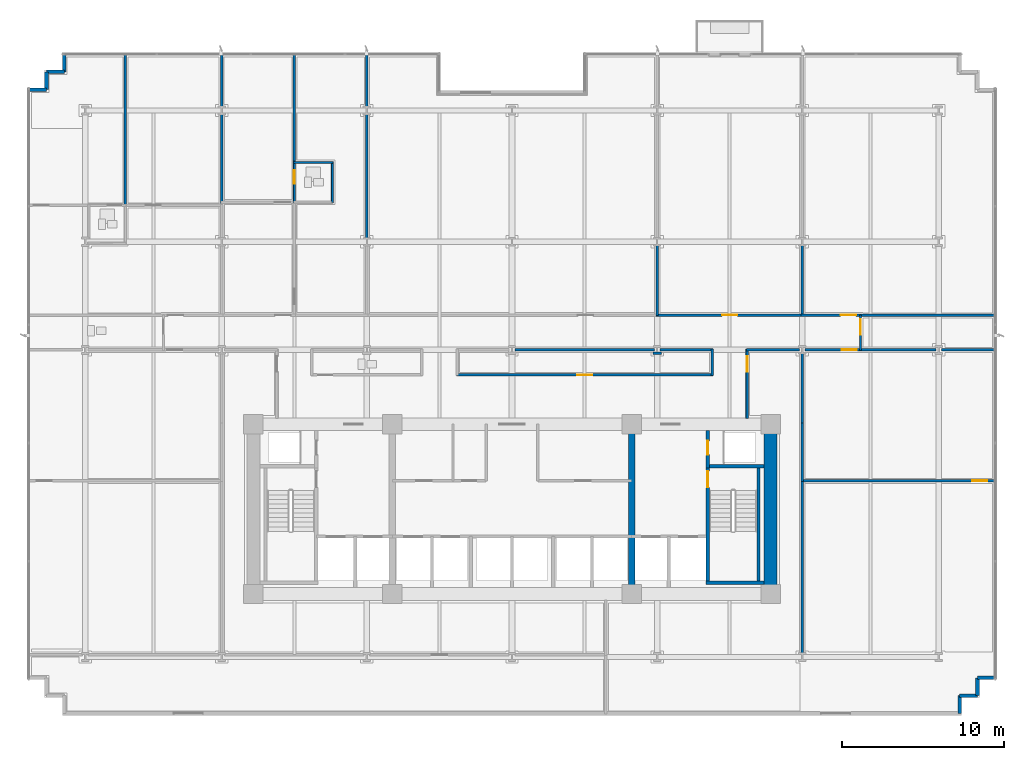
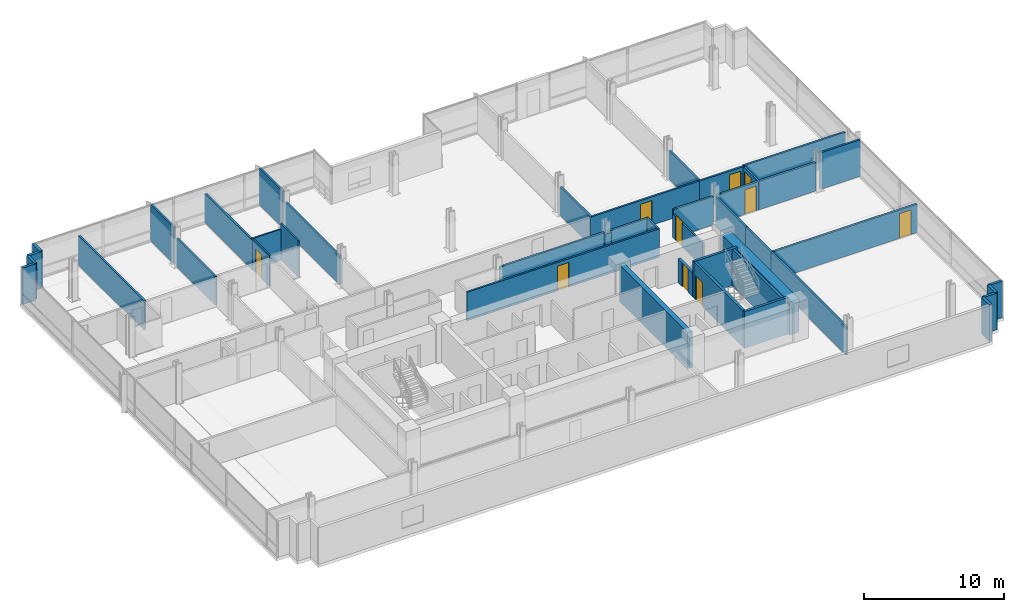
# One storey, part 14 of 21: 44 walls, 10 doors, 10 openings.
"""IFC4 building model written with IfcOpenShell, lengths in metres."""

from ifc_helpers import new_model, si_unit, direction, frame, frame_2d, origin, place, context, subcontext, project, spatial, rectangle, extrude, material, layer, layer_set, type_object, element, fill, save


model = new_model("IFC4")

# Units and contexts
model_context = context("Model", 3, precision=1e-05, world=origin(), true_north=direction((0.0, 1.0)))
body_context = subcontext(model_context, "Body", "Model", "MODEL_VIEW")
ifc_project = project(units=[si_unit("LENGTHUNIT", "METRE"), si_unit("AREAUNIT", "SQUARE_METRE"), si_unit("VOLUMEUNIT", "CUBIC_METRE"), si_unit("PLANEANGLEUNIT", "RADIAN"), si_unit("MASSUNIT", "GRAM", prefix="KILO")], contexts=[model_context])

# Site, building, storey
site_placement = place(None, origin())
site = spatial("IfcSite", under=ifc_project, at=site_placement, CompositionType="ELEMENT")
building_placement = place(site_placement, origin())
building = spatial("IfcBuilding", under=site, at=building_placement, Name="Solmavex Isthmus Hotel", CompositionType="ELEMENT")
storey_placement = place(building_placement, frame((0.0, 0.0, 60.89990234375)))
storey = spatial("IfcBuildingStorey", under=building, at=storey_placement, Name="L16", CompositionType="ELEMENT", Elevation=60.89990234375)

# Walls
ifc_material_1 = material(Name="Precast Concrete C40/50", Category="concrete")
ifc_layer_1 = layer(ifc_material_1, 0.25)
ifc_layer_set_1 = layer_set([ifc_layer_1], Name="Precast Concrete C40/50")
wall_type_1 = type_object("IfcWallType", Name="EW-TWR-250", PredefinedType="STANDARD", material=ifc_layer_set_1)
wall_1_placement = place(storey_placement, frame((-29.889892578125, 18.18994140625, 0.0), z_axis=(0.0, 0.0, 1.0), x_axis=(1.0, 0.0, 0.0)))
element("IfcWall", 1, at=wall_1_placement, inside=storey, type_object=wall_type_1, Name="Serrated Corner Facade Panel L16-06", PredefinedType="STANDARD", context=body_context, shape_type="SweptSolid", body=[
    extrude(rectangle(XDim=1.099853515625, YDim=0.219970703125, at=frame_2d((0.5498046875, 0.0))), origin(), (0.0, 0.0, 1.0), 3.190185546875),
])
for number, where, z_axis, x_axis, name in (
    (2, (-28.7900390625, 18.18994140625, 0.0), (0.0, 0.0, 1.0), (0.0, 1.0, 0.0), "Serrated Corner Facade Panel L16-07"),
    (3, (-28.7900390625, 19.2900390625, 0.0), (0.0, 0.0, 1.0), (1.0, 0.0, 0.0), "Serrated Corner Facade Panel L16-08"),
):
    element("IfcWall", number, at=place(storey_placement, frame(where, z_axis=z_axis, x_axis=x_axis)), inside=storey, type_object=wall_type_1, Name=name, PredefinedType="STANDARD", context=body_context, shape_type="SweptSolid", body=[
        extrude(rectangle(XDim=1.10009765625, YDim=0.219970703125, at=frame_2d((0.550048828125, 0.0))), origin(), (0.0, 0.0, 1.0), 3.190185546875),
    ])
for number, where, z_axis, x_axis, name in (
    (4, (-27.68994140625, 19.2900390625, 0.0), (0.0, 0.0, 1.0), (0.0, 1.0, 0.0), "Serrated Corner Facade Panel L16-09"),
    (5, (29.889892578125, -18.18994140625, 0.0), (0.0, 0.0, 1.0), (-1.0, 0.0, 0.0), "Serrated Corner Facade Panel L16-16"),
):
    element("IfcWall", number, at=place(storey_placement, frame(where, z_axis=z_axis, x_axis=x_axis)), inside=storey, type_object=wall_type_1, Name=name, PredefinedType="STANDARD", context=body_context, shape_type="SweptSolid", body=[
        extrude(rectangle(XDim=1.099853515625, YDim=0.219970703125, at=frame_2d((0.5498046875, 0.0))), origin(), (0.0, 0.0, 1.0), 3.190185546875),
    ])
for number, where, z_axis, x_axis, name in (
    (6, (28.7900390625, -18.18994140625, 0.0), (0.0, 0.0, 1.0), (0.0, -1.0, 0.0), "Serrated Corner Facade Panel L16-17"),
    (7, (28.7900390625, -19.2900390625, 0.0), (0.0, 0.0, 1.0), (-1.0, 0.0, 0.0), "Serrated Corner Facade Panel L16-18"),
):
    element("IfcWall", number, at=place(storey_placement, frame(where, z_axis=z_axis, x_axis=x_axis)), inside=storey, type_object=wall_type_1, Name=name, PredefinedType="STANDARD", context=body_context, shape_type="SweptSolid", body=[
        extrude(rectangle(XDim=1.10009765625, YDim=0.219970703125, at=frame_2d((0.550048828125, 0.0))), origin(), (0.0, 0.0, 1.0), 3.190185546875),
    ])
wall_2_placement = place(storey_placement, frame((27.68994140625, -19.2900390625, 0.0), z_axis=(0.0, 0.0, 1.0), x_axis=(0.0, -1.0, 0.0)))
element("IfcWall", 8, at=wall_2_placement, inside=storey, type_object=wall_type_1, Name="Serrated Corner Facade Panel L16-19", PredefinedType="STANDARD", context=body_context, shape_type="SweptSolid", body=[
    extrude(rectangle(XDim=1.099853515625, YDim=0.219970703125, at=frame_2d((0.5498046875, 0.0))), origin(), (0.0, 0.0, 1.0), 3.190185546875),
])
ifc_material_2 = material(Name="Gypsum plasterboard lining", Category="gypsum")
ifc_layer_2 = layer(ifc_material_2, 0.159912109375)
ifc_layer_set_2 = layer_set([ifc_layer_2], Name="Gypsum plasterboard lining")
wall_type_2 = type_object("IfcWallType", Name="IW-COMP-160", PredefinedType="PARTITIONING", material=ifc_layer_set_2)
wall_3_placement = place(storey_placement, frame((-23.916015625, 20.419921875, 0.0), z_axis=(0.0, 0.0, 1.0), x_axis=(0.0, -1.0, 0.0)))
element("IfcWall", 9, at=wall_3_placement, inside=storey, type_object=wall_type_2, Name="Interior Partition Wall W-L16-P037", PredefinedType="PARTITIONING", context=body_context, shape_type="SweptSolid", body=[
    extrude(rectangle(XDim=9.421875, YDim=0.159912109375, at=frame_2d((4.7109375, 0.0))), origin(), (0.0, 0.0, 1.0), 2.55322265625),
])
wall_4_placement = place(storey_placement, frame((-17.951904296875, 16.72509765625, 0.0), z_axis=(0.0, 0.0, 1.0), x_axis=(0.0, -1.0, 0.0)))
element("IfcWall", 10, at=wall_4_placement, inside=storey, type_object=wall_type_2, Name="Interior Partition Wall W-L16-P039", PredefinedType="PARTITIONING", context=body_context, shape_type="SweptSolid", body=[
    extrude(rectangle(XDim=5.569091796875, YDim=0.159912109375, at=frame_2d((2.78466796875, 0.0))), origin(), (0.0, 0.0, 1.0), 2.4794921875),
])
wall_5_placement = place(storey_placement, frame((-17.951904296875, 20.419921875, 0.0), z_axis=(0.0, 0.0, 1.0), x_axis=(0.0, -1.0, 0.0)))
element("IfcWall", 11, at=wall_5_placement, inside=storey, type_object=wall_type_2, Name="Interior Partition Wall W-L16-P040", PredefinedType="PARTITIONING", context=body_context, shape_type="SweptSolid", body=[
    extrude(rectangle(XDim=3.344970703125, YDim=0.159912109375, at=frame_2d((1.67236328125, 0.0))), origin(), (0.0, 0.0, 1.0), 3.190185546875),
])
wall_6_placement = place(storey_placement, frame((-13.464111328125, 20.419921875, 0.0), z_axis=(0.0, 0.0, 1.0), x_axis=(0.0, -1.0, 0.0)))
element("IfcWall", 12, at=wall_6_placement, inside=storey, type_object=wall_type_2, Name="Interior Partition Wall W-L16-P043", PredefinedType="PARTITIONING", context=body_context, shape_type="SweptSolid", body=[
    extrude(rectangle(XDim=6.81396484375, YDim=0.159912109375, at=frame_2d((3.406982421875, 0.0))), origin(), (0.0, 0.0, 1.0), 2.55322265625),
])
wall_7_placement = place(storey_placement, frame((-8.97607421875, 16.72509765625, 0.0), z_axis=(0.0, 0.0, 1.0), x_axis=(0.0, -1.0, 0.0)))
element("IfcWall", 13, at=wall_7_placement, inside=storey, type_object=wall_type_2, Name="Interior Partition Wall W-L16-P049", PredefinedType="PARTITIONING", context=body_context, shape_type="SweptSolid", body=[
    extrude(rectangle(XDim=7.76220703125, YDim=0.159912109375, at=frame_2d((3.881103515625, 0.0))), origin(), (0.0, 0.0, 1.0), 2.4794921875),
])
wall_8_placement = place(storey_placement, frame((-8.97607421875, 20.419921875, 0.0), z_axis=(0.0, 0.0, 1.0), x_axis=(0.0, -1.0, 0.0)))
element("IfcWall", 14, at=wall_8_placement, inside=storey, type_object=wall_type_2, Name="Interior Partition Wall W-L16-P050", PredefinedType="PARTITIONING", context=body_context, shape_type="SweptSolid", body=[
    extrude(rectangle(XDim=3.344970703125, YDim=0.159912109375, at=frame_2d((1.67236328125, 0.0))), origin(), (0.0, 0.0, 1.0), 3.190185546875),
])
for number, where, z_axis, x_axis, name in (
    (15, (8.97607421875, 8.613037109375, 0.0), (0.0, 0.0, 1.0), (0.0, -1.0, 0.0), "Interior Partition Wall W-L16-P051"),
    (16, (17.951904296875, 8.613037109375, 0.0), (0.0, 0.0, 1.0), (0.0, -1.0, 0.0), "Interior Partition Wall W-L16-P054"),
):
    element("IfcWall", number, at=place(storey_placement, frame(where, z_axis=z_axis, x_axis=x_axis)), inside=storey, type_object=wall_type_2, Name=name, PredefinedType="PARTITIONING", context=body_context, shape_type="SweptSolid", body=[
        extrude(rectangle(XDim=4.403076171875, YDim=0.159912109375, at=frame_2d((2.20166015625, 0.0))), origin(), (0.0, 0.0, 1.0), 2.4794921875),
    ])
wall_9_placement = place(storey_placement, frame((29.919921875, 4.22998046875, 0.0), z_axis=(0.0, 0.0, 1.0), x_axis=(-1.0, 0.0, 0.0)))
element("IfcWall", 17, at=wall_9_placement, inside=storey, type_object=wall_type_2, Name="Interior Partition Wall W-L16-P057", PredefinedType="PARTITIONING", context=body_context, shape_type="SweptSolid", body=[
    extrude(rectangle(XDim=8.407958984375, YDim=0.159912109375, at=frame_2d((4.2041015625, 0.0))), origin(), (0.0, 0.0, 1.0), 2.55322265625),
])
wall_10_placement = place(storey_placement, frame((26.22509765625, 2.10009765625, 0.0), z_axis=(0.0, 0.0, 1.0), x_axis=(-1.0, 0.0, 0.0)))
element("IfcWall", 18, at=wall_10_placement, inside=storey, type_object=wall_type_2, Name="Interior Partition Wall W-L16-P060", PredefinedType="PARTITIONING", context=body_context, shape_type="SweptSolid", body=[
    extrude(rectangle(XDim=4.713134765625, YDim=0.159912109375, at=frame_2d((2.3564453125, 0.0))), origin(), (0.0, 0.0, 1.0), 2.4794921875),
])
wall_11_placement = place(storey_placement, frame((29.919921875, 2.10009765625, 0.0), z_axis=(0.0, 0.0, 1.0), x_axis=(-1.0, 0.0, 0.0)))
element("IfcWall", 19, at=wall_11_placement, inside=storey, type_object=wall_type_2, Name="Interior Partition Wall W-L16-P061", PredefinedType="PARTITIONING", context=body_context, shape_type="SweptSolid", body=[
    extrude(rectangle(XDim=3.344970703125, YDim=0.159912109375, at=frame_2d((1.67236328125, 0.0))), origin(), (0.0, 0.0, 1.0), 3.190185546875),
])
wall_12_placement = place(storey_placement, frame((17.951904296875, -6.0400390625, 0.0), z_axis=(0.0, 0.0, 1.0), x_axis=(0.0, 1.0, 0.0)))
element("IfcWall", 20, at=wall_12_placement, inside=storey, type_object=wall_type_2, Name="Interior Partition Wall W-L16-P065", PredefinedType="PARTITIONING", context=body_context, shape_type="SweptSolid", body=[
    extrude(rectangle(XDim=3.630126953125, YDim=0.159912109375, at=frame_2d((1.81494140625, 0.0))), origin(), (0.0, 0.0, 1.0), 2.4794921875),
])
wall_13_placement = place(storey_placement, frame((17.951904296875, -2.489990234375, 0.0), z_axis=(0.0, 0.0, 1.0), x_axis=(0.0, 1.0, 0.0)))
element("IfcWall", 21, at=wall_13_placement, inside=storey, type_object=wall_type_2, Name="Interior Partition Wall W-L16-P066", PredefinedType="PARTITIONING", context=body_context, shape_type="SweptSolid", body=[
    extrude(rectangle(XDim=4.4150390625, YDim=0.159912109375, at=frame_2d((2.20751953125, 0.0))), origin(), (0.0, 0.0, 1.0), 2.4794921875),
])

# Wall, opening, door
wall_14_placement = place(storey_placement, frame((29.919921875, -6.0, 0.0), z_axis=(0.0, 0.0, 1.0), x_axis=(-1.0, 0.0, 0.0)))
wall_14 = element("IfcWall", 22, at=wall_14_placement, inside=storey, type_object=wall_type_2, Name="Interior Partition Wall W-L16-P067", PredefinedType="PARTITIONING", context=body_context, shape_type="SweptSolid", body=[
    extrude(rectangle(XDim=12.0078125, YDim=0.159912109375, at=frame_2d((6.00390625, 0.0))), origin(), (0.0, 0.0, 1.0), 2.4794921875),
])
opening_1_placement = place(wall_14_placement, frame((0.519287109375, 0.0, 0.0)))
opening_1 = element("IfcOpeningElement", 23, at=opening_1_placement, cuts=wall_14, Name="Opening ID-C095", PredefinedType="OPENING", context=body_context, shape_type="SweptSolid", body=[
    extrude(rectangle(XDim=0.949951171875, YDim=2.14990234375, at=frame_2d((0.47509765625, 1.074951171875))), frame((0.0, 0.08984375, 0.0), z_axis=(0.0, -1.0, 0.0), x_axis=(1.0, 0.0, 0.0)), (0.0, 0.0, 1.0), 0.179931640625),
])
ifc_material_3 = material(Name="Hardwood timber", Category="wood")
door_type_1 = type_object("IfcDoorType", Name="IDR-FD60-0950", OperationType="NOTDEFINED", PredefinedType="DOOR", material=ifc_material_3)
door_1_placement = place(opening_1_placement, origin())
door_1 = element("IfcDoor", 24, at=door_1_placement, inside=storey, type_object=door_type_1, Name="Corporate Briefing Office Door L16-22", OperationType="SINGLE_SWING_RIGHT", OverallHeight=2.14990234375, OverallWidth=0.949951171875, PredefinedType="DOOR", context=body_context, shape_type="SweptSolid", body=[
    extrude(rectangle(XDim=0.949951171875, YDim=2.14990234375, at=frame_2d((0.47509765625, 1.074951171875))), frame((0.0, 0.02490234375, 0.0), z_axis=(0.0, -1.0, 0.0), x_axis=(1.0, 0.0, 0.0)), (0.0, 0.0, 1.0), 0.050048828125),
])
fill(opening_1, door_1)

# Wall
wall_15_placement = place(storey_placement, frame((17.951904296875, -5.91796875, 0.0), z_axis=(0.0, 0.0, 1.0), x_axis=(0.0, -1.0, 0.0)))
element("IfcWall", 25, at=wall_15_placement, inside=storey, type_object=wall_type_2, Name="Interior Partition Wall W-L16-P074", PredefinedType="PARTITIONING", context=body_context, shape_type="SweptSolid", body=[
    extrude(rectangle(XDim=10.80712890625, YDim=0.159912109375, at=frame_2d((5.403564453125, 0.0))), origin(), (0.0, 0.0, 1.0), 2.4794921875),
])

# Wall, opening, door
ifc_layer_3 = layer(ifc_material_2, 0.14990234375)
ifc_layer_set_3 = layer_set([ifc_layer_3], Name="Gypsum plasterboard lining")
wall_type_3 = type_object("IfcWallType", Name="IW-CORR-150", PredefinedType="PARTITIONING", material=ifc_layer_set_3)
wall_16_placement = place(storey_placement, frame((8.89404296875, 4.25, 0.0), z_axis=(0.0, 0.0, 1.0), x_axis=(1.0, 0.0, 0.0)))
wall_16 = element("IfcWall", 26, at=wall_16_placement, inside=storey, type_object=wall_type_3, Name="Interior Partition Wall W-L16-P005", PredefinedType="PARTITIONING", context=body_context, shape_type="SweptSolid", body=[
    extrude(rectangle(XDim=9.139892578125, YDim=0.14990234375, at=frame_2d((4.56982421875, 0.0))), origin(), (0.0, 0.0, 1.0), 2.4794921875),
])
opening_2_placement = place(wall_16_placement, frame((4.094970703125, 0.0, 0.0)))
opening_2 = element("IfcOpeningElement", 27, at=opening_2_placement, cuts=wall_16, Name="Opening ID-C095", PredefinedType="OPENING", context=body_context, shape_type="SweptSolid", body=[
    extrude(rectangle(XDim=0.949951171875, YDim=2.14990234375, at=frame_2d((0.47509765625, 1.074951171875))), frame((0.0, 0.0849609375, 0.0), z_axis=(0.0, -1.0, 0.0), x_axis=(1.0, 0.0, 0.0)), (0.0, 0.0, 1.0), 0.169921875),
])
door_2_placement = place(opening_2_placement, origin())
door_2 = element("IfcDoor", 28, at=door_2_placement, inside=storey, type_object=door_type_1, Name="Atrium Overlook Lounge Door L16-10", OperationType="SINGLE_SWING_RIGHT", OverallHeight=2.14990234375, OverallWidth=0.949951171875, PredefinedType="DOOR", context=body_context, shape_type="SweptSolid", body=[
    extrude(rectangle(XDim=0.949951171875, YDim=2.14990234375, at=frame_2d((0.47509765625, 1.074951171875))), frame((0.0, 0.02490234375, 0.0), z_axis=(0.0, -1.0, 0.0), x_axis=(1.0, 0.0, 0.0)), (0.0, 0.0, 1.0), 0.050048828125),
])
fill(opening_2, door_2)

wall_17_placement = place(storey_placement, frame((17.8701171875, 4.25, 0.0), z_axis=(0.0, 0.0, 1.0), x_axis=(1.0, 0.0, 0.0)))
wall_17 = element("IfcWall", 29, at=wall_17_placement, inside=storey, type_object=wall_type_3, Name="Interior Partition Wall W-L16-P006", PredefinedType="PARTITIONING", context=body_context, shape_type="SweptSolid", body=[
    extrude(rectangle(XDim=3.721923828125, YDim=0.14990234375, at=frame_2d((1.86083984375, 0.0))), origin(), (0.0, 0.0, 1.0), 2.4794921875),
])
opening_3_placement = place(wall_17_placement, frame((2.456787109375, 0.0, 0.0)))
opening_3 = element("IfcOpeningElement", 30, at=opening_3_placement, cuts=wall_17, Name="Opening ID-C095", PredefinedType="OPENING", context=body_context, shape_type="SweptSolid", body=[
    extrude(rectangle(XDim=0.949951171875, YDim=2.14990234375, at=frame_2d((0.47509765625, 1.074951171875))), frame((0.0, 0.0849609375, 0.0), z_axis=(0.0, -1.0, 0.0), x_axis=(1.0, 0.0, 0.0)), (0.0, 0.0, 1.0), 0.169921875),
])
door_3_placement = place(opening_3_placement, origin())
door_3 = element("IfcDoor", 31, at=door_3_placement, inside=storey, type_object=door_type_1, Name="Corporate Briefing Office Door L16-11", OperationType="SINGLE_SWING_LEFT", OverallHeight=2.14990234375, OverallWidth=0.949951171875, PredefinedType="DOOR", context=body_context, shape_type="SweptSolid", body=[
    extrude(rectangle(XDim=0.949951171875, YDim=2.14990234375, at=frame_2d((0.47509765625, 1.074951171875))), frame((0.0, 0.02490234375, 0.0), z_axis=(0.0, -1.0, 0.0), x_axis=(1.0, 0.0, 0.0)), (0.0, 0.0, 1.0), 0.050048828125),
])
fill(opening_3, door_3)

wall_18_placement = place(storey_placement, frame((21.552001953125, 4.27001953125, 0.0), z_axis=(0.0, 0.0, 1.0), x_axis=(0.0, -1.0, 0.0)))
wall_18 = element("IfcWall", 32, at=wall_18_placement, inside=storey, type_object=wall_type_3, Name="Interior Partition Wall W-L16-P014", PredefinedType="PARTITIONING", context=body_context, shape_type="SweptSolid", body=[
    extrude(rectangle(XDim=2.2099609375, YDim=0.14990234375, at=frame_2d((1.10498046875, 0.0))), origin(), (0.0, 0.0, 1.0), 2.4794921875),
])
opening_4_placement = place(wall_18_placement, frame((0.272216796875, 0.0, 0.0)))
opening_4 = element("IfcOpeningElement", 33, at=opening_4_placement, cuts=wall_18, Name="Opening ID-C095", PredefinedType="OPENING", context=body_context, shape_type="SweptSolid", body=[
    extrude(rectangle(XDim=0.949951171875, YDim=2.14990234375, at=frame_2d((0.47509765625, 1.074951171875))), frame((0.0, 0.0849609375, 0.0), z_axis=(0.0, -1.0, 0.0), x_axis=(1.0, 0.0, 0.0)), (0.0, 0.0, 1.0), 0.169921875),
])
door_4_placement = place(opening_4_placement, origin())
door_4 = element("IfcDoor", 34, at=door_4_placement, inside=storey, type_object=door_type_1, Name="Executive Meeting Room Door L16-14", OperationType="SINGLE_SWING_RIGHT", OverallHeight=2.14990234375, OverallWidth=0.949951171875, PredefinedType="DOOR", context=body_context, shape_type="SweptSolid", body=[
    extrude(rectangle(XDim=0.949951171875, YDim=2.14990234375, at=frame_2d((0.47509765625, 1.074951171875))), frame((0.0, 0.02490234375, 0.0), z_axis=(0.0, -1.0, 0.0), x_axis=(1.0, 0.0, 0.0)), (0.0, 0.0, 1.0), 0.050048828125),
])
fill(opening_4, door_4)

wall_19_placement = place(storey_placement, frame((-3.427978515625, 0.550048828125, 0.0), z_axis=(0.0, 0.0, 1.0), x_axis=(1.0, 0.0, 0.0)))
wall_19 = element("IfcWall", 35, at=wall_19_placement, inside=storey, type_object=wall_type_3, Name="Interior Partition Wall W-L16-P017", PredefinedType="PARTITIONING", context=body_context, shape_type="SweptSolid", body=[
    extrude(rectangle(XDim=15.85205078125, YDim=0.14990234375, at=frame_2d((7.926025390625, 0.0))), origin(), (0.0, 0.0, 1.0), 2.4794921875),
])
opening_5_placement = place(wall_19_placement, frame((7.450927734375, 0.0, 0.0)))
opening_5 = element("IfcOpeningElement", 36, at=opening_5_placement, cuts=wall_19, Name="Opening ID-C095", PredefinedType="OPENING", context=body_context, shape_type="SweptSolid", body=[
    extrude(rectangle(XDim=0.949951171875, YDim=2.14990234375, at=frame_2d((0.47509765625, 1.074951171875))), frame((0.0, 0.0849609375, 0.0), z_axis=(0.0, -1.0, 0.0), x_axis=(1.0, 0.0, 0.0)), (0.0, 0.0, 1.0), 0.169921875),
])
door_5_placement = place(opening_5_placement, origin())
door_5 = element("IfcDoor", 37, at=door_5_placement, inside=storey, type_object=door_type_1, Name="Private Focus Study Door L16-15", OperationType="SINGLE_SWING_LEFT", OverallHeight=2.14990234375, OverallWidth=0.949951171875, PredefinedType="DOOR", context=body_context, shape_type="SweptSolid", body=[
    extrude(rectangle(XDim=0.949951171875, YDim=2.14990234375, at=frame_2d((0.47509765625, 1.074951171875))), frame((0.0, 0.02490234375, 0.0), z_axis=(0.0, -1.0, 0.0), x_axis=(1.0, 0.0, 0.0)), (0.0, 0.0, 1.0), 0.050048828125),
])
fill(opening_5, door_5)

# Walls
wall_20_placement = place(storey_placement, frame((12.384033203125, 0.510009765625, 0.0), z_axis=(0.0, 0.0, 1.0), x_axis=(0.0, 1.0, 0.0)))
element("IfcWall", 38, at=wall_20_placement, inside=storey, type_object=wall_type_3, Name="Interior Partition Wall W-L16-P018", PredefinedType="PARTITIONING", context=body_context, shape_type="SweptSolid", body=[
    extrude(rectangle(XDim=1.6298828125, YDim=0.14990234375, at=frame_2d((0.81494140625, 0.0))), origin(), (0.0, 0.0, 1.0), 2.4794921875),
])
wall_21_placement = place(storey_placement, frame((12.424072265625, 2.10009765625, 0.0), z_axis=(0.0, 0.0, 1.0), x_axis=(-1.0, 0.0, 0.0)))
element("IfcWall", 39, at=wall_21_placement, inside=storey, type_object=wall_type_3, Name="Interior Partition Wall W-L16-P019", PredefinedType="PARTITIONING", context=body_context, shape_type="SweptSolid", body=[
    extrude(rectangle(XDim=3.273193359375, YDim=0.14990234375, at=frame_2d((1.63671875, 0.0))), origin(), (0.0, 0.0, 1.0), 2.4794921875),
])
wall_22_placement = place(storey_placement, frame((9.23095703125, 1.885009765625, 0.0), z_axis=(0.0, 0.0, 1.0), x_axis=(-1.0, 0.0, 0.0)))
element("IfcWall", 40, at=wall_22_placement, inside=storey, type_object=wall_type_3, Name="Interior Partition Wall W-L16-P020", PredefinedType="PARTITIONING", context=body_context, shape_type="SweptSolid", body=[
    extrude(rectangle(XDim=0.510009765625, YDim=0.14990234375, at=frame_2d((0.2548828125, 0.0))), origin(), (0.0, 0.0, 1.0), 2.4794921875),
])
wall_23_placement = place(storey_placement, frame((8.801025390625, 2.10009765625, 0.0), z_axis=(0.0, 0.0, 1.0), x_axis=(-1.0, 0.0, 0.0)))
element("IfcWall", 41, at=wall_23_placement, inside=storey, type_object=wall_type_3, Name="Interior Partition Wall W-L16-P021", PredefinedType="PARTITIONING", context=body_context, shape_type="SweptSolid", body=[
    extrude(rectangle(XDim=8.6259765625, YDim=0.14990234375, at=frame_2d((4.31298828125, 0.0))), origin(), (0.0, 0.0, 1.0), 2.4794921875),
])

# Wall, opening, door
wall_24_placement = place(storey_placement, frame((21.592041015625, 2.10009765625, 0.0), z_axis=(0.0, 0.0, 1.0), x_axis=(-1.0, 0.0, 0.0)))
wall_24 = element("IfcWall", 42, at=wall_24_placement, inside=storey, type_object=wall_type_3, Name="Interior Partition Wall W-L16-P024", PredefinedType="PARTITIONING", context=body_context, shape_type="SweptSolid", body=[
    extrude(rectangle(XDim=3.465087890625, YDim=0.14990234375, at=frame_2d((1.732421875, 0.0))), origin(), (0.0, 0.0, 1.0), 2.4794921875),
])
opening_6_placement = place(wall_24_placement, frame((0.26220703125, 0.0, 0.0)))
opening_6 = element("IfcOpeningElement", 43, at=opening_6_placement, cuts=wall_24, Name="Opening ID-C095", PredefinedType="OPENING", context=body_context, shape_type="SweptSolid", body=[
    extrude(rectangle(XDim=0.949951171875, YDim=2.14990234375, at=frame_2d((0.47509765625, 1.074951171875))), frame((0.0, 0.0849609375, 0.0), z_axis=(0.0, -1.0, 0.0), x_axis=(1.0, 0.0, 0.0)), (0.0, 0.0, 1.0), 0.169921875),
])
door_6_placement = place(opening_6_placement, origin())
door_6 = element("IfcDoor", 44, at=door_6_placement, inside=storey, type_object=door_type_1, Name="Business Briefing Office Door L16-17", OperationType="SINGLE_SWING_LEFT", OverallHeight=2.14990234375, OverallWidth=0.949951171875, PredefinedType="DOOR", context=body_context, shape_type="SweptSolid", body=[
    extrude(rectangle(XDim=0.949951171875, YDim=2.14990234375, at=frame_2d((0.47509765625, 1.074951171875))), frame((0.0, 0.02490234375, 0.0), z_axis=(0.0, -1.0, 0.0), x_axis=(1.0, 0.0, 0.0)), (0.0, 0.0, 1.0), 0.050048828125),
])
fill(opening_6, door_6)

# Wall
wall_25_placement = place(storey_placement, frame((17.777099609375, 2.10009765625, 0.0), z_axis=(0.0, 0.0, 1.0), x_axis=(-1.0, 0.0, 0.0)))
element("IfcWall", 45, at=wall_25_placement, inside=storey, type_object=wall_type_3, Name="Interior Partition Wall W-L16-P027", PredefinedType="PARTITIONING", context=body_context, shape_type="SweptSolid", body=[
    extrude(rectangle(XDim=3.273193359375, YDim=0.14990234375, at=frame_2d((1.63671875, 0.0))), origin(), (0.0, 0.0, 1.0), 2.4794921875),
])

# Wall, opening, door
wall_26_placement = place(storey_placement, frame((14.5439453125, 2.139892578125, 0.0), z_axis=(0.0, 0.0, 1.0), x_axis=(0.0, -1.0, 0.0)))
wall_26 = element("IfcWall", 46, at=wall_26_placement, inside=storey, type_object=wall_type_3, Name="Interior Partition Wall W-L16-P028", PredefinedType="PARTITIONING", context=body_context, shape_type="SweptSolid", body=[
    extrude(rectangle(XDim=4.27978515625, YDim=0.14990234375, at=frame_2d((2.139892578125, 0.0))), origin(), (0.0, 0.0, 1.0), 2.0751953125),
])
opening_7_placement = place(wall_26_placement, frame((0.43017578125, 0.0, 0.0)))
opening_7 = element("IfcOpeningElement", 47, at=opening_7_placement, cuts=wall_26, Name="Opening ID-C095", PredefinedType="OPENING", context=body_context, shape_type="SweptSolid", body=[
    extrude(rectangle(XDim=0.949951171875, YDim=2.14990234375, at=frame_2d((0.47509765625, 1.074951171875))), frame((0.0, 0.0849609375, 0.0), z_axis=(0.0, -1.0, 0.0), x_axis=(1.0, 0.0, 0.0)), (0.0, 0.0, 1.0), 0.169921875),
])
door_7_placement = place(opening_7_placement, frame((0.949951171875, 0.0, 0.0), z_axis=(0.0, 0.0, 1.0), x_axis=(-1.0, 0.0, 0.0)))
door_7 = element("IfcDoor", 48, at=door_7_placement, inside=storey, type_object=door_type_1, Name="Executive Hospitality Lounge Door L16-19", OperationType="SINGLE_SWING_LEFT", OverallHeight=2.14990234375, OverallWidth=0.949951171875, PredefinedType="DOOR", context=body_context, shape_type="SweptSolid", body=[
    extrude(rectangle(XDim=0.949951171875, YDim=2.14990234375, at=frame_2d((0.47509765625, 1.074951171875))), frame((0.0, 0.02490234375, 0.0), z_axis=(0.0, -1.0, 0.0), x_axis=(1.0, 0.0, 0.0)), (0.0, 0.0, 1.0), 0.050048828125),
])
fill(opening_7, door_7)

ifc_layer_4 = layer(ifc_material_2, 0.1201171875)
ifc_layer_set_4 = layer_set([ifc_layer_4], Name="Gypsum plasterboard lining")
wall_type_4 = type_object("IfcWallType", Name="IW-PART-120", PredefinedType="PARTITIONING", material=ifc_layer_set_4)
wall_27_placement = place(storey_placement, frame((-13.464111328125, 13.77001953125, 0.0), z_axis=(0.0, 0.0, 1.0), x_axis=(0.0, -1.0, 0.0)))
wall_27 = element("IfcWall", 49, at=wall_27_placement, inside=storey, type_object=wall_type_4, Name="Interior Partition Wall W-L16-P044", PredefinedType="PARTITIONING", context=body_context, shape_type="SweptSolid", body=[
    extrude(rectangle(XDim=2.572021484375, YDim=0.1201171875, at=frame_2d((1.2861328125, 0.0))), origin(), (0.0, 0.0, 1.0), 2.71826171875),
])
opening_8_placement = place(wall_27_placement, frame((0.547119140625, 0.0, 0.0)))
opening_8 = element("IfcOpeningElement", 50, at=opening_8_placement, cuts=wall_27, Name="Opening ID-U085", PredefinedType="OPENING", context=body_context, shape_type="SweptSolid", body=[
    extrude(rectangle(XDim=0.85009765625, YDim=2.10009765625, at=frame_2d((0.425048828125, 1.050048828125))), frame((0.0, 0.070068359375, 0.0), z_axis=(0.0, -1.0, 0.0), x_axis=(1.0, 0.0, 0.0)), (0.0, 0.0, 1.0), 0.14013671875),
])
door_type_2 = type_object("IfcDoorType", Name="IDR-UNR-0850", OperationType="NOTDEFINED", PredefinedType="DOOR", material=ifc_material_3)
door_8_placement = place(opening_8_placement, origin())
door_8 = element("IfcDoor", 51, at=door_8_placement, inside=storey, type_object=door_type_2, Name="En-suite Bathroom Door L16-08", OperationType="SINGLE_SWING_RIGHT", OverallHeight=2.10009765625, OverallWidth=0.85009765625, PredefinedType="DOOR", context=body_context, shape_type="SweptSolid", body=[
    extrude(rectangle(XDim=0.85009765625, YDim=2.10009765625, at=frame_2d((0.425048828125, 1.050048828125))), frame((0.0, 0.02490234375, 0.0), z_axis=(0.0, -1.0, 0.0), x_axis=(1.0, 0.0, 0.0)), (0.0, 0.0, 1.0), 0.050048828125),
])
fill(opening_8, door_8)

# Walls
wall_28_placement = place(storey_placement, frame((-11.114013671875, 11.197998046875, 0.0), z_axis=(0.0, 0.0, 1.0), x_axis=(0.0, 1.0, 0.0)))
element("IfcWall", 52, at=wall_28_placement, inside=storey, type_object=wall_type_4, Name="Interior Partition Wall W-L16-P046", PredefinedType="PARTITIONING", context=body_context, shape_type="SweptSolid", body=[
    extrude(rectangle(XDim=2.530029296875, YDim=0.1201171875, at=frame_2d((1.26513671875, 0.0))), origin(), (0.0, 0.0, 1.0), 3.190185546875),
])
wall_29_placement = place(storey_placement, frame((-11.073974609375, 13.68798828125, 0.0), z_axis=(0.0, 0.0, 1.0), x_axis=(-1.0, 0.0, 0.0)))
element("IfcWall", 53, at=wall_29_placement, inside=storey, type_object=wall_type_4, Name="Interior Partition Wall W-L16-P047", PredefinedType="PARTITIONING", context=body_context, shape_type="SweptSolid", body=[
    extrude(rectangle(XDim=2.429931640625, YDim=0.1201171875, at=frame_2d((1.21484375, 0.0))), origin(), (0.0, 0.0, 1.0), 2.71826171875),
])

# Wall, opening, door
ifc_material_4 = material(Name="Concrete C40/50", Category="concrete")
ifc_layer_5 = layer(ifc_material_4, 0.199951171875)
ifc_layer_set_5 = layer_set([ifc_layer_5], Name="Concrete C40/50")
wall_type_5 = type_object("IfcWallType", Name="IW-SHAFT-200", PredefinedType="PARTITIONING", material=ifc_layer_set_5)
wall_30_placement = place(storey_placement, frame((12.10009765625, -5.199951171875, 0.0), z_axis=(0.0, 0.0, 1.0), x_axis=(0.0, 1.0, 0.0)))
wall_30 = element("IfcWall", 54, at=wall_30_placement, inside=storey, type_object=wall_type_5, Name="Interior Partition Wall W-L16-RSE-W", PredefinedType="PARTITIONING", context=body_context, shape_type="SweptSolid", body=[
    extrude(rectangle(XDim=2.300048828125, YDim=0.199951171875, at=frame_2d((1.14990234375, 0.0))), origin(), (0.0, 0.0, 1.0), 2.0751953125),
])
opening_9_placement = place(wall_30_placement, frame((0.824951171875, 0.0, 0.0)))
opening_9 = element("IfcOpeningElement", 55, at=opening_9_placement, cuts=wall_30, Name="Opening ID-R085", PredefinedType="OPENING", context=body_context, shape_type="SweptSolid", body=[
    extrude(rectangle(XDim=0.85009765625, YDim=2.050048828125, at=frame_2d((0.425048828125, 1.02490234375))), frame((0.0, 0.10986328125, 0.0), z_axis=(0.0, -1.0, 0.0), x_axis=(1.0, 0.0, 0.0)), (0.0, 0.0, 1.0), 0.219970703125),
])
ifc_material_5 = material(Name="Steel ASTM A500 Grade C", Category="steel")
door_type_3 = type_object("IfcDoorType", Name="IDR-FD60-0850", OperationType="NOTDEFINED", PredefinedType="DOOR", material=ifc_material_5)
door_9_placement = place(opening_9_placement, frame((0.85009765625, 0.0, 0.0), z_axis=(0.0, 0.0, 1.0), x_axis=(-1.0, 0.0, 0.0)))
door_9 = element("IfcDoor", 56, at=door_9_placement, inside=storey, type_object=door_type_3, Name="Mechanical Riser Door L16", OperationType="SINGLE_SWING_LEFT", OverallHeight=2.050048828125, OverallWidth=0.85009765625, PredefinedType="DOOR", context=body_context, shape_type="SweptSolid", body=[
    extrude(rectangle(XDim=0.85009765625, YDim=2.050048828125, at=frame_2d((0.425048828125, 1.02490234375))), frame((0.0, 0.02490234375, 0.0), z_axis=(0.0, -1.0, 0.0), x_axis=(1.0, 0.0, 0.0)), (0.0, 0.0, 1.0), 0.050048828125),
])
fill(opening_9, door_9)

# Walls
ifc_material_6 = material(Name="Concrete C70/85", Category="concrete")
ifc_layer_6 = layer(ifc_material_6, 0.39990234375)
ifc_layer_set_6 = layer_set([ifc_layer_6], Name="Concrete C70/85")
wall_type_6 = type_object("IfcWallType", Name="WALL-CW-400L", PredefinedType="SHEAR", material=ifc_layer_set_6)
wall_31_placement = place(storey_placement, frame((7.39990234375, -12.60009765625, 0.0), z_axis=(0.0, 0.0, 1.0), x_axis=(0.0, 1.0, 0.0)))
element("IfcWall", 57, at=wall_31_placement, inside=storey, type_object=wall_type_6, Name="Core Cross Shear Wall C2 L16", PredefinedType="SHEAR", context=body_context, shape_type="SweptSolid", body=[
    extrude(rectangle(XDim=9.7001953125, YDim=0.39990234375, at=frame_2d((4.85009765625, 0.0))), origin(), (0.0, 0.0, 1.0), 3.190185546875),
])
ifc_layer_7 = layer(ifc_material_6, 0.800048828125)
ifc_layer_set_7 = layer_set([ifc_layer_7], Name="Concrete C70/85")
wall_type_7 = type_object("IfcWallType", Name="WALL-CW-800", PredefinedType="SHEAR", material=ifc_layer_set_7)
wall_32_placement = place(storey_placement, frame((16.0, -12.60009765625, 0.0), z_axis=(0.0, 0.0, 1.0), x_axis=(0.0, 1.0, 0.0)))
element("IfcWall", 58, at=wall_32_placement, inside=storey, type_object=wall_type_7, Name="Core Shear Wall East L16", PredefinedType="SHEAR", context=body_context, shape_type="SweptSolid", body=[
    extrude(rectangle(XDim=9.7001953125, YDim=0.800048828125, at=frame_2d((4.85009765625, 0.0))), origin(), (0.0, 0.0, 1.0), 2.91015625),
])
ifc_layer_8 = layer(ifc_material_4, 0.199951171875)
ifc_layer_set_8 = layer_set([ifc_layer_8], Name="Concrete C40/50")
wall_type_8 = type_object("IfcWallType", Name="WALL-SW-200", PredefinedType="SOLIDWALL", material=ifc_layer_set_8)
for number, where, z_axis, x_axis, name in (
    (59, (12.0, -12.300048828125, 0.0), (0.0, 0.0, 1.0), (1.0, 0.0, 0.0), "Stairwell Structural Wall SW-L16-ST2-S"),
    (60, (12.0, -5.10009765625, 0.0), (0.0, 0.0, 1.0), (1.0, 0.0, 0.0), "Stairwell Structural Wall SW-L16-ST2-N"),
):
    element("IfcWall", number, at=place(storey_placement, frame(where, z_axis=z_axis, x_axis=x_axis)), inside=storey, type_object=wall_type_8, Name=name, PredefinedType="SOLIDWALL", context=body_context, shape_type="SweptSolid", body=[
        extrude(rectangle(XDim=3.60009765625, YDim=0.199951171875, at=frame_2d((1.800048828125, 0.0))), origin(), (0.0, 0.0, 1.0), 3.190185546875),
    ])

# Wall, opening, door
wall_33_placement = place(storey_placement, frame((12.10009765625, -12.199951171875, 0.0), z_axis=(0.0, 0.0, 1.0), x_axis=(0.0, 1.0, 0.0)))
wall_33 = element("IfcWall", 61, at=wall_33_placement, inside=storey, type_object=wall_type_8, Name="Stairwell Structural Wall SW-L16-ST2-W", PredefinedType="SOLIDWALL", context=body_context, shape_type="SweptSolid", body=[
    extrude(rectangle(XDim=7.0, YDim=0.199951171875, at=frame_2d((3.5, 0.0))), origin(), (0.0, 0.0, 1.0), 3.190185546875),
])
opening_10_placement = place(wall_33_placement, frame((5.800048828125, 0.0, 0.0)))
opening_10 = element("IfcOpeningElement", 62, at=opening_10_placement, cuts=wall_33, Name="Opening ID-F100", PredefinedType="OPENING", context=body_context, shape_type="SweptSolid", body=[
    extrude(rectangle(XDim=1.0, YDim=2.10009765625, at=frame_2d((0.5, 1.050048828125))), frame((0.0, 0.10986328125, 0.0), z_axis=(0.0, -1.0, 0.0), x_axis=(1.0, 0.0, 0.0)), (0.0, 0.0, 1.0), 0.219970703125),
])
door_type_4 = type_object("IfcDoorType", Name="IDR-FD90-1000", OperationType="NOTDEFINED", PredefinedType="DOOR", material=ifc_material_5)
door_10_placement = place(opening_10_placement, origin())
door_10 = element("IfcDoor", 63, at=door_10_placement, inside=storey, type_object=door_type_4, Name="Stair ST-2 Fire Door L16", OperationType="SINGLE_SWING_RIGHT", OverallHeight=2.10009765625, OverallWidth=1.0, PredefinedType="DOOR", context=body_context, shape_type="SweptSolid", body=[
    extrude(rectangle(XDim=1.0, YDim=2.10009765625, at=frame_2d((0.5, 1.050048828125))), frame((0.0, 0.02490234375, 0.0), z_axis=(0.0, -1.0, 0.0), x_axis=(1.0, 0.0, 0.0)), (0.0, 0.0, 1.0), 0.050048828125),
])
fill(opening_10, door_10)

# Wall
wall_34_placement = place(storey_placement, frame((15.25, -12.199951171875, 0.0), z_axis=(0.0, 0.0, 1.0), x_axis=(0.0, 1.0, 0.0)))
element("IfcWall", 64, at=wall_34_placement, inside=storey, type_object=wall_type_8, Name="Stairwell Structural Wall SW-L16-ST2-E", PredefinedType="SOLIDWALL", context=body_context, shape_type="SweptSolid", body=[
    extrude(rectangle(XDim=7.0, YDim=0.199951171875, at=frame_2d((3.5, 0.0))), origin(), (0.0, 0.0, 1.0), 3.190185546875),
])

save(model, "model.ifc")
